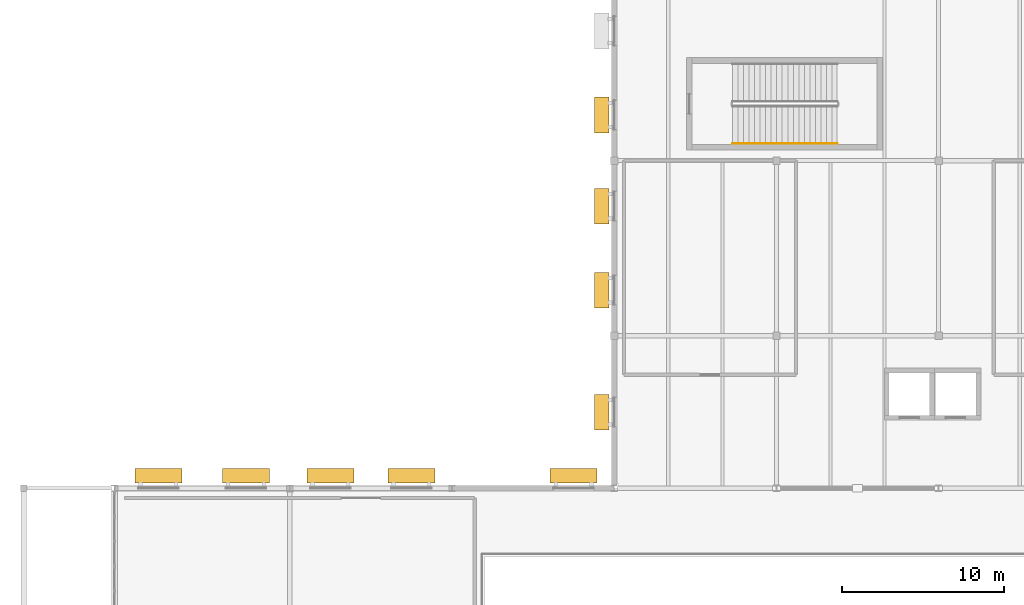
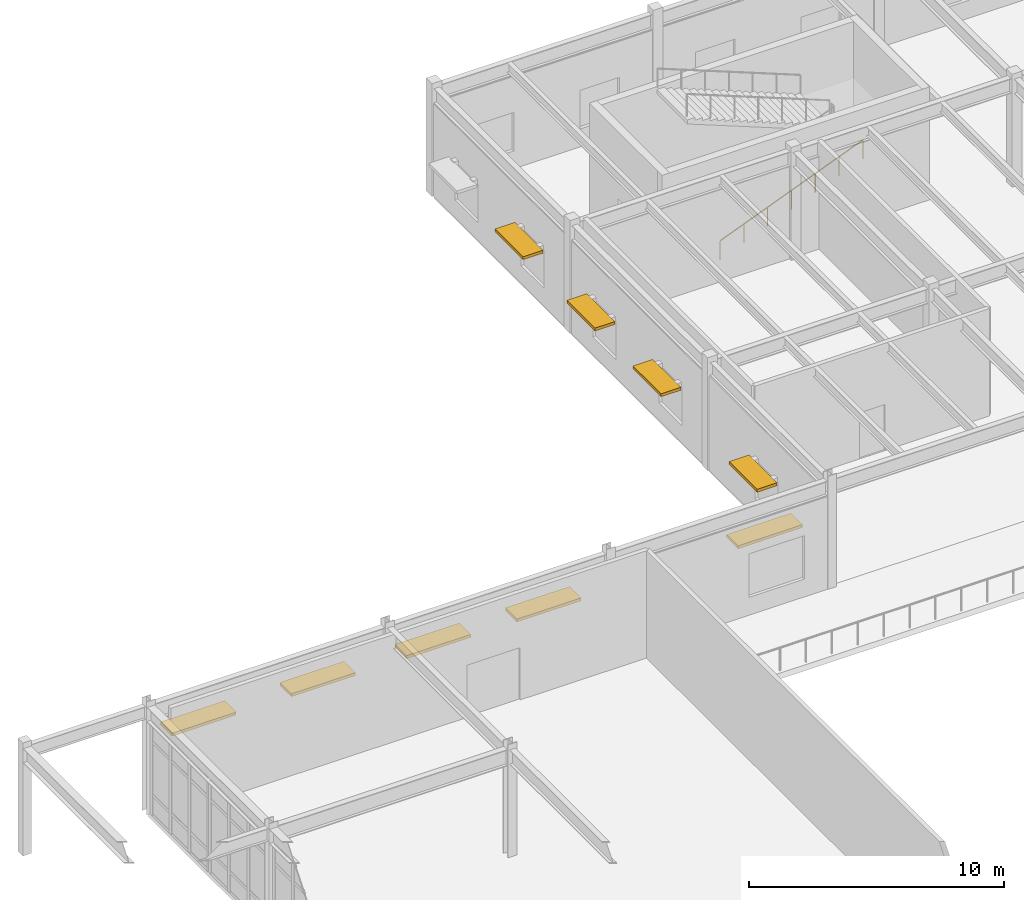
# One storey, part 65 of 72: 9 shading devices, 1 railing.
"""IFC4 building model written with IfcOpenShell, lengths in metres."""

import ifcopenshell
import ifcopenshell.guid

model = None  # the IFC model being written
_history = None  # IfcOwnerHistory: only IFC2X3 demands one
_inside = {}  # id of a spatial element -> (the spatial element, [elements in it])
_under = {}  # id of a project, library or spatial element -> (it, [spatial elements below it])
_declared = {}  # id of a project -> (the project, [libraries it declares])
_typed = {}  # id of a type object -> (the type object, [elements of that type])
_made_of = {}  # id of a material, layer set ... -> (it, [elements and type objects made of it])


def new_model(schema):
    """Start an empty IFC model of exactly this schema.

    Asked for "IFC4X3", IfcOpenShell would pick the latest addendum, in which some entities
    have other attributes; the version numbers below select the first issue.
    IFC2X3 requires an IfcOwnerHistory on every rooted entity: one is made here for all.
    """
    global model, _history
    if schema == "IFC4X3":
        model = ifcopenshell.file(schema_version=(4, 3, 0, 0))
    else:
        model = ifcopenshell.file(schema=schema)
    _inside.clear()
    _under.clear()
    _declared.clear()
    _typed.clear()
    _made_of.clear()
    _history = None
    if model.schema == "IFC2X3":
        org = make("IfcOrganization", Name="unknown")
        user = make(
            "IfcPersonAndOrganization",
            ThePerson=make("IfcPerson", FamilyName="unknown"),
            TheOrganization=org,
        )
        app = make(
            "IfcApplication",
            ApplicationDeveloper=org,
            Version="unknown",
            ApplicationFullName="unknown",
            ApplicationIdentifier="unknown",
        )
        _history = make(
            "IfcOwnerHistory",
            OwningUser=user,
            OwningApplication=app,
            ChangeAction="ADDED",
            CreationDate=0,
        )
    return model


def make(cls, **values):
    """One entity of the class cls with the attributes given. An attribute that is None is left unset."""
    return model.create_entity(
        cls, **{name: value for name, value in values.items() if value is not None}
    )


def rooted(cls, **values):
    """An entity with a GlobalId (a new one), such as an element, a storey or a relation."""
    return make(cls, GlobalId=ifcopenshell.guid.new(), OwnerHistory=_history, **values)


def si_unit(unit_type, name, prefix=None):
    """IfcSIUnit, for example si_unit("LENGTHUNIT", "METRE", prefix="MILLI")."""
    return make("IfcSIUnit", UnitType=unit_type, Prefix=prefix, Name=name)


def assignment(units):
    """IfcUnitAssignment: the units of a project."""
    return None if units is None else make("IfcUnitAssignment", Units=units)


def point(xyz):
    """IfcCartesianPoint."""
    return None if xyz is None else make("IfcCartesianPoint", Coordinates=xyz)


def direction(xyz):
    """IfcDirection."""
    return None if xyz is None else make("IfcDirection", DirectionRatios=xyz)


def frame(location, z_axis=None, x_axis=None):
    """IfcAxis2Placement3D, a coordinate frame: its origin and axes. An axis left out is left unset."""
    return make(
        "IfcAxis2Placement3D",
        Location=point(location),
        Axis=direction(z_axis),
        RefDirection=direction(x_axis),
    )


def frame_2d(location, x_axis=None):
    """IfcAxis2Placement2D, a coordinate frame in the plane: its origin and x axis."""
    return make(
        "IfcAxis2Placement2D", Location=point(location), RefDirection=direction(x_axis)
    )


def origin():
    """The frame at (0, 0, 0) with its axes left unset."""
    return frame((0.0, 0.0, 0.0))


def origin_2d():
    """The frame at (0, 0) in the plane with its x axis left unset."""
    return frame_2d((0.0, 0.0))


def place(relative_to, where):
    """IfcLocalPlacement: puts the frame where relative to a parent placement (None: the world)."""
    return make(
        "IfcLocalPlacement", PlacementRelTo=relative_to, RelativePlacement=where
    )


def context(
    kind, dimensions, precision=None, world=None, true_north=None, identifier=None
):
    """IfcGeometricRepresentationContext, for example the 3D "Model" context."""
    return make(
        "IfcGeometricRepresentationContext",
        ContextIdentifier=identifier,
        ContextType=kind,
        CoordinateSpaceDimension=dimensions,
        Precision=precision,
        WorldCoordinateSystem=world,
        TrueNorth=true_north,
    )


def subcontext(parent, identifier, kind, view, scale=None):
    """IfcGeometricRepresentationSubContext, for example "Body" below "Model"."""
    return make(
        "IfcGeometricRepresentationSubContext",
        ContextIdentifier=identifier,
        ContextType=kind,
        ParentContext=parent,
        TargetScale=scale,
        TargetView=view,
    )


def project(units=None, contexts=None):
    """IfcProject with its units and contexts."""
    return rooted(
        "IfcProject",
        Name="project",
        RepresentationContexts=contexts,
        UnitsInContext=assignment(units),
    )


def spatial(cls, under=None, at=None, **own):
    """A site, building, storey or space (cls), placed at a placement, below another one or the project."""
    s = rooted(cls, ObjectPlacement=at, **own)
    if under is not None:
        _under.setdefault(under.id(), (under, []))[1].append(s)
    return s


def profile(cls, at=None, kind="AREA", **sizes):
    """A parametric profile (cls). Its sizes go by their IFC names, for example OverallWidth=200.0."""
    return make(cls, ProfileType=kind, Position=at, **sizes)


def rectangle(**sizes):
    """IfcRectangleProfileDef."""
    return profile("IfcRectangleProfileDef", **sizes)


def circle(**sizes):
    """IfcCircleProfileDef."""
    return profile("IfcCircleProfileDef", **sizes)


def extrude(swept, where, along, depth):
    """IfcExtrudedAreaSolid: the profile swept, set in the frame where, extruded along a direction by depth."""
    return make(
        "IfcExtrudedAreaSolid",
        SweptArea=swept,
        Position=where,
        ExtrudedDirection=direction(along),
        Depth=depth,
    )


def shape(context_of_items, identifier, shape_type, items):
    """IfcShapeRepresentation: the items that make up one representation, for example the "Body"."""
    return make(
        "IfcShapeRepresentation",
        ContextOfItems=context_of_items,
        RepresentationIdentifier=identifier,
        RepresentationType=shape_type,
        Items=items,
    )


def material(Name=None, Category=None):
    """IfcMaterial."""
    return make("IfcMaterial", Name=Name, Category=Category)


def made_of(thing, what):
    """Note that an element or type object is made of a material, layer set ...; save() writes the relation."""
    if what is not None:
        _made_of.setdefault(what.id(), (what, []))[1].append(thing)
    return thing


def type_object(cls, material=None, **own):
    """A type object (cls), such as IfcWallType, which elements share."""
    return made_of(rooted(cls, **own), material)


def element(
    cls,
    number,
    at=None,
    inside=None,
    cuts=None,
    type_object=None,
    material=None,
    context=None,
    identifier="Body",
    shape_type=None,
    held_by="IfcProductDefinitionShape",
    body=None,
    shapes=None,
    **own,
):
    """One element of the class cls, such as IfcWall. Its Tag is "e" and its number.

    at: its placement. inside: the storey or other place that contains it. cuts: it is an
    opening in that element (IfcRelVoidsElement). A single representation is given by context,
    identifier, shape_type and body (its items); several are given by shapes. held_by: the class
    of the entity that holds the representations. save() writes the other relations.
    """
    e = rooted(cls, Tag="e%d" % number, ObjectPlacement=at, **own)
    if body is not None:
        shapes = [shape(context, identifier, shape_type, body)]
    if shapes is not None:
        e.Representation = make(held_by, Representations=shapes)
    if inside is not None:
        _inside.setdefault(inside.id(), (inside, []))[1].append(e)
    if cuts is not None:
        rooted(
            "IfcRelVoidsElement", RelatingBuildingElement=cuts, RelatedOpeningElement=e
        )
    if type_object is not None:
        _typed.setdefault(type_object.id(), (type_object, []))[1].append(e)
    return made_of(e, material)


def aggregate(whole, parts):
    """IfcRelAggregates: a whole, such as a stair, and the parts it consists of."""
    return rooted("IfcRelAggregates", RelatingObject=whole, RelatedObjects=parts)


def save(model, path):
    """Write the relations noted so far, then the file.

    IfcRelAggregates (storeys below a building ...), IfcRelContainedInSpatialStructure (elements
    in a storey), IfcRelDefinesByType, IfcRelAssociatesMaterial and IfcRelDeclares: one each for
    every whole, place, type object, material and project.
    """
    for whole, parts in _under.values():
        aggregate(whole, parts)
    for where, things in _inside.values():
        rooted(
            "IfcRelContainedInSpatialStructure",
            RelatedElements=things,
            RelatingStructure=where,
        )
    for kind, things in _typed.values():
        rooted("IfcRelDefinesByType", RelatedObjects=things, RelatingType=kind)
    for what, things in _made_of.values():
        rooted("IfcRelAssociatesMaterial", RelatedObjects=things, RelatingMaterial=what)
    for by, libraries in _declared.values():
        rooted("IfcRelDeclares", RelatingContext=by, RelatedDefinitions=libraries)
    model.write(path)


model = new_model("IFC4")

# Units and contexts
model_context = context("Model", 3, precision=1e-05, world=origin(), true_north=direction((0.0, 1.0)))
body_context = subcontext(model_context, "Body", "Model", "MODEL_VIEW")
ifc_project = project(units=[si_unit("LENGTHUNIT", "METRE"), si_unit("AREAUNIT", "SQUARE_METRE"), si_unit("VOLUMEUNIT", "CUBIC_METRE"), si_unit("PLANEANGLEUNIT", "RADIAN"), si_unit("MASSUNIT", "GRAM", prefix="KILO")], contexts=[model_context])

# Site, building, storey
site_placement = place(None, origin())
site = spatial("IfcSite", under=ifc_project, at=site_placement, CompositionType="ELEMENT")
building_placement = place(site_placement, origin())
building = spatial("IfcBuilding", under=site, at=building_placement, Name="Veldera Park Congress Hotel", CompositionType="ELEMENT")
storey_placement = place(building_placement, frame((0.0, 0.0, 5.39990234375)))
storey = spatial("IfcBuildingStorey", under=building, at=storey_placement, Name="L01", CompositionType="ELEMENT", Elevation=5.39990234375)

# Railing
ifc_material_1 = material(Name="Steel ASTM A992 Gr.50", Category="steel")
railing_type = type_object("IfcRailingType", Name="HRL-920", PredefinedType="HANDRAIL", material=ifc_material_1)
railing_placement = place(storey_placement, frame((-40.10009765625, 48.25, 0.135009765625)))
element("IfcRailing", 1, at=railing_placement, inside=storey, type_object=railing_type, Name="L01 ST4 stair handrail 1", PredefinedType="HANDRAIL", context=body_context, shape_type="SweptSolid", body=[
    extrude(circle(Radius=0.02392578125, at=origin_2d()), frame((0.0, 0.0, 0.89599609375), z_axis=(0.929411175501, 0.0, 0.369045887192), x_axis=(0.0, 1.0, 0.0)), (0.0, 0.0, 1.0), 6.950927734375),
    extrude(circle(Radius=0.02099609375, at=origin_2d()), origin(), (0.0, 0.0, 1.0), 0.871826171875),
    extrude(circle(Radius=0.02099609375, at=origin_2d()), frame((1.07666015625, 0.0, 0.427490234375)), (0.0, 0.0, 1.0), 0.871826171875),
    extrude(circle(Radius=0.02099609375, at=origin_2d()), frame((2.1533203125, 0.0, 0.85498046875)), (0.0, 0.0, 1.0), 0.871826171875),
    extrude(circle(Radius=0.02099609375, at=origin_2d()), frame((3.22998046875, 0.0, 1.28271484375)), (0.0, 0.0, 1.0), 0.871826171875),
    extrude(circle(Radius=0.02099609375, at=origin_2d()), frame((4.306884765625, 0.0, 1.710205078125)), (0.0, 0.0, 1.0), 0.871826171875),
    extrude(circle(Radius=0.02099609375, at=origin_2d()), frame((5.383544921875, 0.0, 2.1376953125)), (0.0, 0.0, 1.0), 0.871826171875),
    extrude(circle(Radius=0.02099609375, at=origin_2d()), frame((6.460205078125, 0.0, 2.565185546875)), (0.0, 0.0, 1.0), 0.871826171875),
])

# Shading devices
ifc_material_2 = material(Name="Glulam GL28h (NDS 24F-V4)", Category="wood")
shading_device_type = type_object("IfcShadingDeviceType", Name="SHD-SHF450", PredefinedType="AWNING", material=ifc_material_2)
for number, where, z_axis, x_axis, name in (
    (2, (-49.90380859375, 27.780029296875, 2.93994140625), (0.0, 0.0, 1.0), (-1.0, 0.0, 0.0), "Glulam Solar Shade 39"),
    (3, (-59.90283203125, 27.780029296875, 2.93994140625), (0.0, 0.0, 1.0), (-1.0, 0.0, 0.0), "Glulam Solar Shade 40"),
    (4, (-64.89404296875, 27.780029296875, 2.93994140625), (0.0, 0.0, 1.0), (-1.0, 0.0, 0.0), "Glulam Solar Shade 41"),
    (5, (-70.106201171875, 27.780029296875, 2.93994140625), (0.0, 0.0, 1.0), (-1.0, 0.0, 0.0), "Glulam Solar Shade 42"),
    (6, (-75.49755859375, 27.780029296875, 2.93994140625), (0.0, 0.0, 1.0), (-1.0, 0.0, 0.0), "Glulam Solar Shade 43"),
):
    element("IfcShadingDevice", number, at=place(storey_placement, frame(where, z_axis=z_axis, x_axis=x_axis)), inside=storey, type_object=shading_device_type, Name=name, PredefinedType="AWNING", context=body_context, shape_type="SweptSolid", body=[
        extrude(rectangle(XDim=2.89990234375, YDim=0.89990234375, at=origin_2d()), origin(), (0.0, 0.0, 1.0), 0.139892578125),
    ])
for number, where, z_axis, x_axis, name in (
    (7, (-48.169921875, 50.011474609375, 2.7099609375), (0.0, 0.0, 1.0), (0.0, -1.0, 0.0), "Glulam Solar Shade 45"),
    (8, (-48.169921875, 44.388427734375, 2.7099609375), (0.0, 0.0, 1.0), (0.0, -1.0, 0.0), "Glulam Solar Shade 46"),
    (9, (-48.169921875, 39.21142578125, 2.7099609375), (0.0, 0.0, 1.0), (0.0, -1.0, 0.0), "Glulam Solar Shade 47"),
    (10, (-48.169921875, 31.682861328125, 2.7099609375), (0.0, 0.0, 1.0), (0.0, -1.0, 0.0), "Glulam Solar Shade 48"),
):
    element("IfcShadingDevice", number, at=place(storey_placement, frame(where, z_axis=z_axis, x_axis=x_axis)), inside=storey, type_object=shading_device_type, Name=name, PredefinedType="AWNING", context=body_context, shape_type="SweptSolid", body=[
        extrude(rectangle(XDim=2.199951171875, YDim=0.89990234375, at=origin_2d()), origin(), (0.0, 0.0, 1.0), 0.139892578125),
    ])

save(model, "model.ifc")
